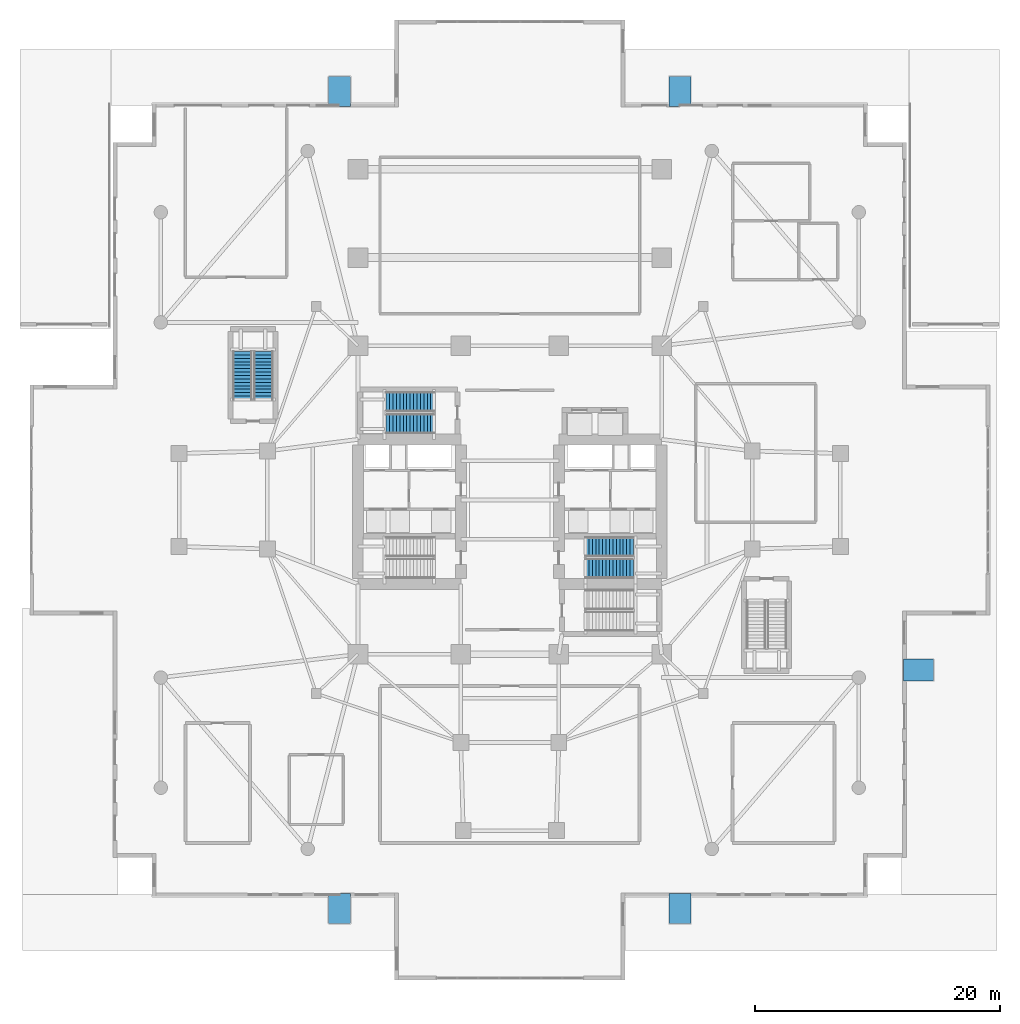
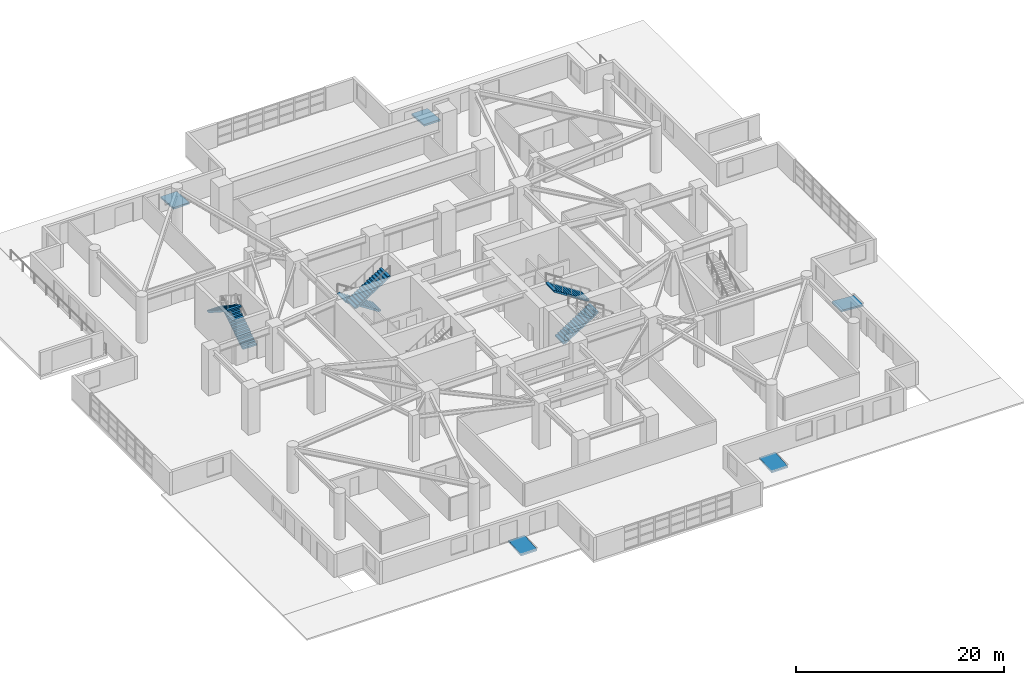
# One storey, part 18 of 24: 6 stair flights, 5 ramp flights, 8 elements without a shape of their own.
"""IFC4 building model written with IfcOpenShell, lengths in metres."""

from ifc_helpers import new_model, si_unit, direction, frame, origin, place, context, subcontext, project, spatial, polyline, outline, extrude, material, layer, layer_set, type_object, element, aggregate, save


model = new_model("IFC4")

# Units and contexts
model_context = context("Model", 3, precision=1e-05, world=origin(), true_north=direction((0.0, 1.0)))
body_context = subcontext(model_context, "Body", "Model", "MODEL_VIEW")
ifc_project = project(units=[si_unit("LENGTHUNIT", "METRE"), si_unit("AREAUNIT", "SQUARE_METRE"), si_unit("VOLUMEUNIT", "CUBIC_METRE"), si_unit("PLANEANGLEUNIT", "RADIAN"), si_unit("MASSUNIT", "GRAM", prefix="KILO")], contexts=[model_context])

# Site, building, storey
site_placement = place(None, origin())
site = spatial("IfcSite", under=ifc_project, at=site_placement, CompositionType="ELEMENT")
building_placement = place(site_placement, origin())
building = spatial("IfcBuilding", under=site, at=building_placement, Name="Qingluan Cross Belvedere", CompositionType="ELEMENT")
storey_placement = place(building_placement, origin())
storey = spatial("IfcBuildingStorey", under=building, at=storey_placement, Name="L01", CompositionType="ELEMENT", Elevation=0.0)

# Stair, stair flights
ifc_material_1 = material(Name="Concrete C40", Category="concrete")
stair_type_1 = type_object("IfcStairType", Name="PodiumExitStair_1550", PredefinedType="HALF_TURN_STAIR", material=ifc_material_1)
stair_1_placement = place(storey_placement, origin())
stair_1 = element("IfcStair", 1, at=stair_1_placement, inside=storey, type_object=stair_type_1, Name="L01 ST5", PredefinedType="HALF_TURN_STAIR")
ifc_material_2 = material(Name="Concrete C40", Category="concrete")
ifc_layer_1 = layer(ifc_material_2, 0.179931640625, Name="PodiumStairFlight_RC180")
ifc_layer_set_1 = layer_set([ifc_layer_1], Name="Concrete C40")
stair_flight_type_1 = type_object("IfcStairFlightType", Name="PodiumStairFlight_RC180", PredefinedType="STRAIGHT", material=ifc_layer_set_1)
stair_flight_1_placement = place(storey_placement, frame((-20.114990234375, 8.2099609375, 0.0), z_axis=(0.0, 0.0, 1.0), x_axis=(0.0, 1.0, 0.0)))
stair_flight_1 = element("IfcStairFlight", 2, at=stair_flight_1_placement, type_object=stair_flight_type_1, Name="ST5 flight 1", NumberOfRisers=15, NumberOfTreads=14, PredefinedType="STRAIGHT", RiserHeight=0.18, TreadLength=0.28, context=body_context, shape_type="SweptSolid", body=[
    extrude(outline(polyline([(0.0, 0.0), (0.0, 0.179931640625), (0.280029296875, 0.179931640625), (0.280029296875, 0.360107421875), (0.56005859375, 0.360107421875), (0.56005859375, 0.5400390625), (0.840087890625, 0.5400390625), (0.840087890625, 0.719970703125), (1.1201171875, 0.719970703125), (1.1201171875, 0.89990234375), (1.39990234375, 0.89990234375), (1.39990234375, 1.080078125), (1.679931640625, 1.080078125), (1.679931640625, 1.260009765625), (1.9599609375, 1.260009765625), (1.9599609375, 1.43994140625), (2.239990234375, 1.43994140625), (2.239990234375, 1.6201171875), (2.52001953125, 1.6201171875), (2.52001953125, 1.800048828125), (2.800048828125, 1.800048828125), (2.800048828125, 1.97998046875), (3.080078125, 1.97998046875), (3.080078125, 2.159912109375), (3.360107421875, 2.159912109375), (3.360107421875, 2.340087890625), (3.639892578125, 2.340087890625), (3.639892578125, 2.52001953125), (3.919921875, 2.52001953125), (3.919921875, 2.699951171875), (3.919921875, 2.341796875), (0.277099609375, 0.0), (0.0, 0.0)])), frame((0.0, 0.77490234375, 0.0), z_axis=(0.0, -1.0, 0.0), x_axis=(1.0, 0.0, 0.0)), (0.0, 0.0, 1.0), 1.550048828125),
])
stair_flight_2_placement = place(storey_placement, frame((-21.824951171875, 12.1298828125, 2.699951171875), z_axis=(0.0, 0.0, 1.0), x_axis=(0.0, -1.0, 0.0)))
stair_flight_2 = element("IfcStairFlight", 3, at=stair_flight_2_placement, type_object=stair_flight_type_1, Name="ST5 flight 2", NumberOfRisers=15, NumberOfTreads=14, PredefinedType="STRAIGHT", RiserHeight=0.18, TreadLength=0.28, context=body_context, shape_type="SweptSolid", body=[
    extrude(outline(polyline([(0.0, 0.0), (0.0, 0.179931640625), (0.280029296875, 0.179931640625), (0.280029296875, 0.360107421875), (0.56005859375, 0.360107421875), (0.56005859375, 0.5400390625), (0.840087890625, 0.5400390625), (0.840087890625, 0.719970703125), (1.1201171875, 0.719970703125), (1.1201171875, 0.89990234375), (1.39990234375, 0.89990234375), (1.39990234375, 1.080078125), (1.679931640625, 1.080078125), (1.679931640625, 1.260009765625), (1.9599609375, 1.260009765625), (1.9599609375, 1.43994140625), (2.239990234375, 1.43994140625), (2.239990234375, 1.6201171875), (2.52001953125, 1.6201171875), (2.52001953125, 1.800048828125), (2.800048828125, 1.800048828125), (2.800048828125, 1.97998046875), (3.080078125, 1.97998046875), (3.080078125, 2.159912109375), (3.360107421875, 2.159912109375), (3.360107421875, 2.340087890625), (3.639892578125, 2.340087890625), (3.639892578125, 2.52001953125), (3.919921875, 2.52001953125), (3.919921875, 2.699951171875), (3.919921875, 2.341796875), (0.277099609375, 0.0), (0.0, 0.0)])), frame((0.0, 0.77490234375, 0.0), z_axis=(0.0, -1.0, 0.0), x_axis=(1.0, 0.0, 0.0)), (0.0, 0.0, 1.0), 1.550048828125),
])
aggregate(stair_1, [stair_flight_1, stair_flight_2])

ifc_material_3 = material(Name="Concrete C40", Category="concrete")
stair_type_2 = type_object("IfcStairType", Name="CoreDoglegStair_1620", PredefinedType="HALF_TURN_STAIR", material=ifc_material_3)
stair_2_placement = place(storey_placement, origin())
stair_2 = element("IfcStair", 4, at=stair_2_placement, inside=storey, type_object=stair_type_2, Name="L01 ST2", PredefinedType="HALF_TURN_STAIR")
ifc_material_4 = material(Name="Concrete C40", Category="concrete")
ifc_layer_2 = layer(ifc_material_4, 0.179931640625, Name="StairFlight_RC180")
ifc_layer_set_2 = layer_set([ifc_layer_2], Name="Concrete C40")
stair_flight_type_2 = type_object("IfcStairFlightType", Name="StairFlight_RC180", PredefinedType="STRAIGHT", material=ifc_layer_set_2)
stair_flight_3_placement = place(storey_placement, frame((6.179931640625, -5.590087890625, 0.0), z_axis=(0.0, 0.0, 1.0), x_axis=(1.0, 0.0, 0.0)))
stair_flight_3 = element("IfcStairFlight", 5, at=stair_flight_3_placement, type_object=stair_flight_type_2, Name="ST2 flight 1", NumberOfRisers=15, NumberOfTreads=14, PredefinedType="STRAIGHT", RiserHeight=0.18, TreadLength=0.28, context=body_context, shape_type="SweptSolid", body=[
    extrude(outline(polyline([(0.0, 0.0), (0.0, 0.179931640625), (0.280029296875, 0.179931640625), (0.280029296875, 0.360107421875), (0.56005859375, 0.360107421875), (0.56005859375, 0.5400390625), (0.840087890625, 0.5400390625), (0.840087890625, 0.719970703125), (1.1201171875, 0.719970703125), (1.1201171875, 0.89990234375), (1.39990234375, 0.89990234375), (1.39990234375, 1.080078125), (1.679931640625, 1.080078125), (1.679931640625, 1.260009765625), (1.9599609375, 1.260009765625), (1.9599609375, 1.43994140625), (2.239990234375, 1.43994140625), (2.239990234375, 1.6201171875), (2.52001953125, 1.6201171875), (2.52001953125, 1.800048828125), (2.800048828125, 1.800048828125), (2.800048828125, 1.97998046875), (3.080078125, 1.97998046875), (3.080078125, 2.159912109375), (3.360107421875, 2.159912109375), (3.360107421875, 2.340087890625), (3.639892578125, 2.340087890625), (3.639892578125, 2.52001953125), (3.919921875, 2.52001953125), (3.919921875, 2.699951171875), (3.919921875, 2.341796875), (0.277099609375, 0.0), (0.0, 0.0)])), frame((0.0, 0.81005859375, 0.0), z_axis=(0.0, -1.0, 0.0), x_axis=(1.0, 0.0, 0.0)), (0.0, 0.0, 1.0), 1.6201171875),
])
stair_flight_4_placement = place(storey_placement, frame((10.10009765625, -3.81005859375, 2.699951171875), z_axis=(0.0, 0.0, 1.0), x_axis=(-1.0, 0.0, 0.0)))
stair_flight_4 = element("IfcStairFlight", 6, at=stair_flight_4_placement, type_object=stair_flight_type_2, Name="ST2 flight 2", NumberOfRisers=15, NumberOfTreads=14, PredefinedType="STRAIGHT", RiserHeight=0.18, TreadLength=0.28, context=body_context, shape_type="SweptSolid", body=[
    extrude(outline(polyline([(0.0, 0.0), (0.0, 0.179931640625), (0.280029296875, 0.179931640625), (0.280029296875, 0.360107421875), (0.56005859375, 0.360107421875), (0.56005859375, 0.5400390625), (0.840087890625, 0.5400390625), (0.840087890625, 0.719970703125), (1.1201171875, 0.719970703125), (1.1201171875, 0.89990234375), (1.39990234375, 0.89990234375), (1.39990234375, 1.080078125), (1.679931640625, 1.080078125), (1.679931640625, 1.260009765625), (1.9599609375, 1.260009765625), (1.9599609375, 1.43994140625), (2.239990234375, 1.43994140625), (2.239990234375, 1.6201171875), (2.52001953125, 1.6201171875), (2.52001953125, 1.800048828125), (2.800048828125, 1.800048828125), (2.800048828125, 1.97998046875), (3.080078125, 1.97998046875), (3.080078125, 2.159912109375), (3.360107421875, 2.159912109375), (3.360107421875, 2.340087890625), (3.639892578125, 2.340087890625), (3.639892578125, 2.52001953125), (3.919921875, 2.52001953125), (3.919921875, 2.699951171875), (3.919921875, 2.341796875), (0.277099609375, 0.0), (0.0, 0.0)])), frame((0.0, 0.81005859375, 0.0), z_axis=(0.0, -1.0, 0.0), x_axis=(1.0, 0.0, 0.0)), (0.0, 0.0, 1.0), 1.6201171875),
])
aggregate(stair_2, [stair_flight_3, stair_flight_4])

stair_3_placement = place(storey_placement, origin())
stair_3 = element("IfcStair", 7, at=stair_3_placement, inside=storey, type_object=stair_type_2, Name="L01 ST3", PredefinedType="HALF_TURN_STAIR")
stair_flight_5_placement = place(storey_placement, frame((-6.179931640625, 8.010009765625, 0.0), z_axis=(0.0, 0.0, 1.0), x_axis=(-1.0, 0.0, 0.0)))
stair_flight_5 = element("IfcStairFlight", 8, at=stair_flight_5_placement, type_object=stair_flight_type_2, Name="ST3 flight 1", NumberOfRisers=15, NumberOfTreads=14, PredefinedType="STRAIGHT", RiserHeight=0.18, TreadLength=0.28, context=body_context, shape_type="SweptSolid", body=[
    extrude(outline(polyline([(0.0, 0.0), (0.0, 0.179931640625), (0.280029296875, 0.179931640625), (0.280029296875, 0.360107421875), (0.56005859375, 0.360107421875), (0.56005859375, 0.5400390625), (0.840087890625, 0.5400390625), (0.840087890625, 0.719970703125), (1.1201171875, 0.719970703125), (1.1201171875, 0.89990234375), (1.39990234375, 0.89990234375), (1.39990234375, 1.080078125), (1.679931640625, 1.080078125), (1.679931640625, 1.260009765625), (1.9599609375, 1.260009765625), (1.9599609375, 1.43994140625), (2.239990234375, 1.43994140625), (2.239990234375, 1.6201171875), (2.52001953125, 1.6201171875), (2.52001953125, 1.800048828125), (2.800048828125, 1.800048828125), (2.800048828125, 1.97998046875), (3.080078125, 1.97998046875), (3.080078125, 2.159912109375), (3.360107421875, 2.159912109375), (3.360107421875, 2.340087890625), (3.639892578125, 2.340087890625), (3.639892578125, 2.52001953125), (3.919921875, 2.52001953125), (3.919921875, 2.699951171875), (3.919921875, 2.341796875), (0.277099609375, 0.0), (0.0, 0.0)])), frame((0.0, 0.81005859375, 0.0), z_axis=(0.0, -1.0, 0.0), x_axis=(1.0, 0.0, 0.0)), (0.0, 0.0, 1.0), 1.6201171875),
])
stair_flight_6_placement = place(storey_placement, frame((-10.10009765625, 6.22998046875, 2.699951171875), z_axis=(0.0, 0.0, 1.0), x_axis=(1.0, 0.0, 0.0)))
stair_flight_6 = element("IfcStairFlight", 9, at=stair_flight_6_placement, type_object=stair_flight_type_2, Name="ST3 flight 2", NumberOfRisers=15, NumberOfTreads=14, PredefinedType="STRAIGHT", RiserHeight=0.18, TreadLength=0.28, context=body_context, shape_type="SweptSolid", body=[
    extrude(outline(polyline([(0.0, 0.0), (0.0, 0.179931640625), (0.280029296875, 0.179931640625), (0.280029296875, 0.360107421875), (0.56005859375, 0.360107421875), (0.56005859375, 0.5400390625), (0.840087890625, 0.5400390625), (0.840087890625, 0.719970703125), (1.1201171875, 0.719970703125), (1.1201171875, 0.89990234375), (1.39990234375, 0.89990234375), (1.39990234375, 1.080078125), (1.679931640625, 1.080078125), (1.679931640625, 1.260009765625), (1.9599609375, 1.260009765625), (1.9599609375, 1.43994140625), (2.239990234375, 1.43994140625), (2.239990234375, 1.6201171875), (2.52001953125, 1.6201171875), (2.52001953125, 1.800048828125), (2.800048828125, 1.800048828125), (2.800048828125, 1.97998046875), (3.080078125, 1.97998046875), (3.080078125, 2.159912109375), (3.360107421875, 2.159912109375), (3.360107421875, 2.340087890625), (3.639892578125, 2.340087890625), (3.639892578125, 2.52001953125), (3.919921875, 2.52001953125), (3.919921875, 2.699951171875), (3.919921875, 2.341796875), (0.277099609375, 0.0), (0.0, 0.0)])), frame((0.0, 0.81005859375, 0.0), z_axis=(0.0, -1.0, 0.0), x_axis=(1.0, 0.0, 0.0)), (0.0, 0.0, 1.0), 1.6201171875),
])
aggregate(stair_3, [stair_flight_5, stair_flight_6])

# Ramp, ramp flight
ifc_material_5 = material(Name="Concrete C40", Category="concrete")
ramp_type = type_object("IfcRampType", Name="AccessRamp_Type", PredefinedType="STRAIGHT_RUN_RAMP", material=ifc_material_5)
ramp_1_placement = place(storey_placement, origin())
ramp_1 = element("IfcRamp", 10, at=ramp_1_placement, inside=storey, type_object=ramp_type, Name="Step-free accessible entrance ramp AR1", PredefinedType="STRAIGHT_RUN_RAMP")
ifc_material_6 = material(Name="Concrete C40", Category="concrete")
ifc_layer_3 = layer(ifc_material_6, 0.199951171875, Name="AccessRampFlight_200")
ifc_layer_set_3 = layer_set([ifc_layer_3], Name="Concrete C40")
ramp_flight_type = type_object("IfcRampFlightType", Name="AccessRampFlight_200", PredefinedType="STRAIGHT", material=ifc_layer_set_3)
ramp_flight_1_placement = place(storey_placement, frame((-14.800048828125, -34.60009765625, -0.179931640625), z_axis=(0.0, -0.073238417476, 0.997314461043), x_axis=(1.0, 0.0, 0.0)))
ramp_flight_1 = element("IfcRampFlight", 11, at=ramp_flight_1_placement, type_object=ramp_flight_type, Name="Step-free accessible ramp flight AR1", PredefinedType="STRAIGHT", context=body_context, shape_type="SweptSolid", body=[
    extrude(outline(polyline([(0.0, 0.0), (1.800048828125, 0.0), (1.800048828125, 2.4567931261494076), (0.0, 2.4567931261494076), (0.0, 0.0)])), origin(), (0.0, 0.0, -1.0), 0.199951171875),
])
aggregate(ramp_1, [ramp_flight_1])

ramp_2_placement = place(storey_placement, origin())
ramp_2 = element("IfcRamp", 12, at=ramp_2_placement, inside=storey, type_object=ramp_type, Name="Step-free accessible entrance ramp AR2", PredefinedType="STRAIGHT_RUN_RAMP")
ramp_flight_2_placement = place(storey_placement, frame((13.0, -34.60009765625, -0.179931640625), z_axis=(0.0, -0.073238417476, 0.997314461043), x_axis=(1.0, 0.0, 0.0)))
ramp_flight_2 = element("IfcRampFlight", 13, at=ramp_flight_2_placement, type_object=ramp_flight_type, Name="Step-free accessible ramp flight AR2", PredefinedType="STRAIGHT", context=body_context, shape_type="SweptSolid", body=[
    extrude(outline(polyline([(0.0, 0.0), (1.800048828125, 0.0), (1.800048828125, 2.4567931261494076), (0.0, 2.4567931261494076), (0.0, 0.0)])), origin(), (0.0, 0.0, -1.0), 0.199951171875),
])
aggregate(ramp_2, [ramp_flight_2])

ramp_3_placement = place(storey_placement, origin())
ramp_3 = element("IfcRamp", 14, at=ramp_3_placement, inside=storey, type_object=ramp_type, Name="Step-free accessible entrance ramp AR3", PredefinedType="STRAIGHT_RUN_RAMP")
ramp_flight_3_placement = place(storey_placement, frame((-13.0, 34.60009765625, -0.179931640625), z_axis=(0.0, 0.073238417476, 0.997314461043), x_axis=(-1.0, 0.0, 0.0)))
ramp_flight_3 = element("IfcRampFlight", 15, at=ramp_flight_3_placement, type_object=ramp_flight_type, Name="Step-free accessible ramp flight AR3", PredefinedType="STRAIGHT", context=body_context, shape_type="SweptSolid", body=[
    extrude(outline(polyline([(0.0, 0.0), (1.800048828125, 0.0), (1.800048828125, 2.4567931261494076), (0.0, 2.4567931261494076), (0.0, 0.0)])), origin(), (0.0, 0.0, -1.0), 0.199951171875),
])
aggregate(ramp_3, [ramp_flight_3])

ramp_4_placement = place(storey_placement, origin())
ramp_4 = element("IfcRamp", 16, at=ramp_4_placement, inside=storey, type_object=ramp_type, Name="Step-free accessible entrance ramp AR4", PredefinedType="STRAIGHT_RUN_RAMP")
ramp_flight_4_placement = place(storey_placement, frame((14.800048828125, 34.60009765625, -0.179931640625), z_axis=(0.0, 0.073238417476, 0.997314461043), x_axis=(-1.0, 0.0, 0.0)))
ramp_flight_4 = element("IfcRampFlight", 17, at=ramp_flight_4_placement, type_object=ramp_flight_type, Name="Step-free accessible ramp flight AR4", PredefinedType="STRAIGHT", context=body_context, shape_type="SweptSolid", body=[
    extrude(outline(polyline([(0.0, 0.0), (1.800048828125, 0.0), (1.800048828125, 2.4567931261494076), (0.0, 2.4567931261494076), (0.0, 0.0)])), origin(), (0.0, 0.0, -1.0), 0.199951171875),
])
aggregate(ramp_4, [ramp_flight_4])

ramp_5_placement = place(storey_placement, origin())
ramp_5 = element("IfcRamp", 18, at=ramp_5_placement, inside=storey, type_object=ramp_type, Name="Step-free accessible entrance ramp AR5", PredefinedType="STRAIGHT_RUN_RAMP")
ramp_flight_5_placement = place(storey_placement, frame((34.60009765625, -14.800048828125, -0.179931640625), z_axis=(0.073238417476, 0.0, 0.997314461043), x_axis=(0.0, 1.0, 0.0)))
ramp_flight_5 = element("IfcRampFlight", 19, at=ramp_flight_5_placement, type_object=ramp_flight_type, Name="Step-free accessible ramp flight AR5", PredefinedType="STRAIGHT", context=body_context, shape_type="SweptSolid", body=[
    extrude(outline(polyline([(0.0, 0.0), (1.800048828125, 0.0), (1.800048828125, 2.4567931261494076), (0.0, 2.4567931261494076), (0.0, 0.0)])), origin(), (0.0, 0.0, -1.0), 0.199951171875),
])
aggregate(ramp_5, [ramp_flight_5])

save(model, "model.ifc")
